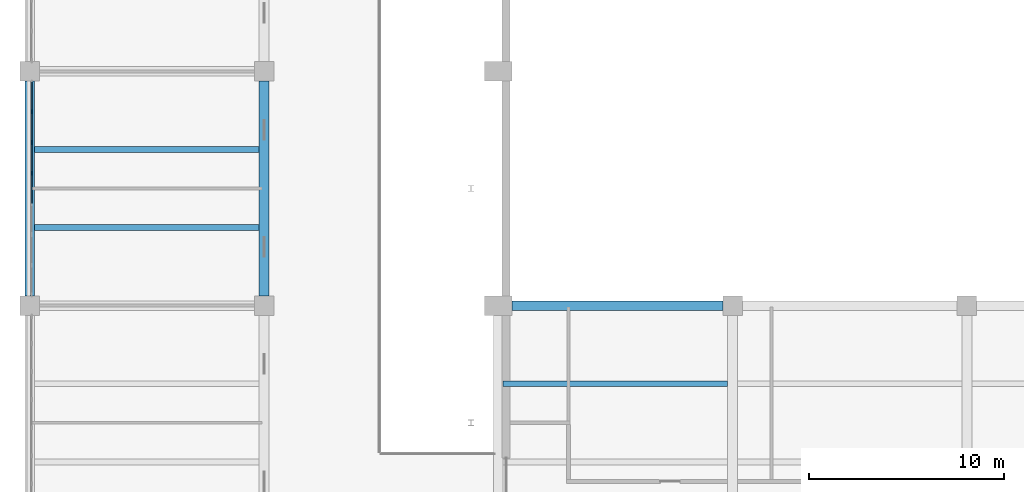
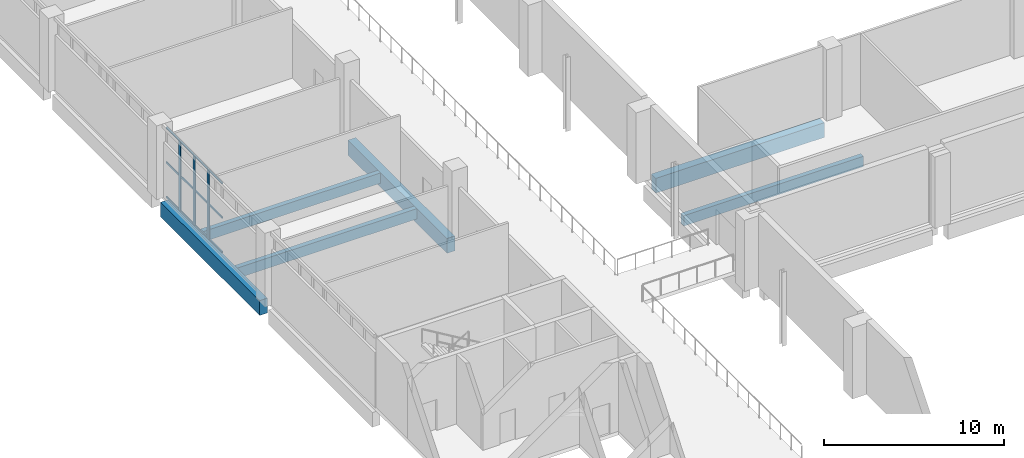
# One storey, part 19 of 69: 15 members, 6 beams, 1 element without a shape of its own.
"""IFC4 building model written with IfcOpenShell, lengths in metres."""

from ifc_helpers import new_model, si_unit, direction, frame, origin, origin_2d, place, context, subcontext, project, spatial, rectangle, extrude, material, layer, layer_set, material_profile, profile_set, type_object, element, aggregate, save


model = new_model("IFC4")

# Units and contexts
model_context = context("Model", 3, precision=1e-05, world=origin(), true_north=direction((0.0, 1.0)))
body_context = subcontext(model_context, "Body", "Model", "MODEL_VIEW")
ifc_project = project(units=[si_unit("LENGTHUNIT", "METRE"), si_unit("AREAUNIT", "SQUARE_METRE"), si_unit("VOLUMEUNIT", "CUBIC_METRE"), si_unit("PLANEANGLEUNIT", "RADIAN"), si_unit("MASSUNIT", "GRAM", prefix="KILO")], contexts=[model_context])

# Site, building, storey
site_placement = place(None, origin())
site = spatial("IfcSite", under=ifc_project, at=site_placement, CompositionType="ELEMENT")
building_placement = place(site_placement, origin())
building = spatial("IfcBuilding", under=site, at=building_placement, Name="Lilac Gate Convention Centre", CompositionType="ELEMENT")
storey_placement = place(building_placement, frame((0.0, 0.0, 12.0)))
storey = spatial("IfcBuildingStorey", under=building, at=storey_placement, Name="L02", CompositionType="ELEMENT", Elevation=12.0)

# Curtain wall, members
ifc_material_1 = material(Name="Aluminium framed double glazing", Category="aluminium")
ifc_layer = layer(ifc_material_1, 0.199951171875)
ifc_layer_set = layer_set([ifc_layer], Name="Aluminium framed double glazing")
curtain_wall_type = type_object("IfcCurtainWallType", Name="Unitised curtain wall 1500", PredefinedType="NOTDEFINED", material=ifc_layer_set)
curtain_wall_placement = place(storey_placement, origin())
curtain_wall = element("IfcCurtainWall", 1, at=curtain_wall_placement, inside=storey, type_object=curtain_wall_type, Name="Curtain wall PW L02 7", PredefinedType="NOTDEFINED")
ifc_material_2 = material(Name="Aluminium alloy 6063", Category="aluminium")
ifc_material_profile_1 = material_profile(ifc_material_2, rectangle(XDim=0.06005859375, YDim=0.219970703125, at=origin_2d()), Name="Curtain wall mullion 60 x 220")
ifc_profile_set_1 = profile_set([ifc_material_profile_1], Name="Aluminium alloy 6063")
member_type_1 = type_object("IfcMemberType", Name="Curtain wall mullion 60 x 220", PredefinedType="MULLION", material=ifc_profile_set_1)
member_1_placement = place(storey_placement, frame((6.10009765625, 123.928466796875, 0.0), z_axis=(0.0, 0.0, 1.0), x_axis=(1.0, 0.0, 0.0)))
member_1 = element("IfcMember", 2, at=member_1_placement, type_object=member_type_1, Name="CW mullion 2", PredefinedType="MULLION", context=body_context, shape_type="SweptSolid", body=[
    extrude(rectangle(XDim=0.06005859375, YDim=0.219970703125, at=origin_2d()), origin(), (0.0, 0.0, 1.0), 4.75),
])
member_2_placement = place(storey_placement, frame((6.10009765625, 122.357177734375, 0.0), z_axis=(0.0, 0.0, 1.0), x_axis=(1.0, 0.0, 0.0)))
member_2 = element("IfcMember", 3, at=member_2_placement, type_object=member_type_1, Name="CW mullion 3", PredefinedType="MULLION", context=body_context, shape_type="SweptSolid", body=[
    extrude(rectangle(XDim=0.06005859375, YDim=0.219970703125, at=origin_2d()), origin(), (0.0, 0.0, 1.0), 4.75),
])
member_3_placement = place(storey_placement, frame((6.10009765625, 120.78564453125, 0.0), z_axis=(0.0, 0.0, 1.0), x_axis=(1.0, 0.0, 0.0)))
member_3 = element("IfcMember", 4, at=member_3_placement, type_object=member_type_1, Name="CW mullion 4", PredefinedType="MULLION", context=body_context, shape_type="SweptSolid", body=[
    extrude(rectangle(XDim=0.06005859375, YDim=0.219970703125, at=origin_2d()), origin(), (0.0, 0.0, 1.0), 4.75),
])
ifc_material_profile_2 = material_profile(ifc_material_2, rectangle(XDim=0.06005859375, YDim=0.1201171875, at=origin_2d()), Name="Curtain wall transom 60 x 120")
ifc_profile_set_2 = profile_set([ifc_material_profile_2], Name="Aluminium alloy 6063")
member_type_2 = type_object("IfcMemberType", Name="Curtain wall transom 60 x 120", PredefinedType="USERDEFINED", material=ifc_profile_set_2)
member_4_placement = place(storey_placement, frame((6.10009765625, 125.43994140625, 0.030029296875), z_axis=(0.0, -1.0, 0.0), x_axis=(1.0, 0.0, 0.0)))
member_4 = element("IfcMember", 5, at=member_4_placement, type_object=member_type_2, Name="CW transom 1.1", ObjectType="TRANSOM", PredefinedType="USERDEFINED", context=body_context, shape_type="SweptSolid", body=[
    extrude(rectangle(XDim=0.06005859375, YDim=0.1201171875, at=origin_2d()), origin(), (0.0, 0.0, 1.0), 1.4814453125),
])
member_5_placement = place(storey_placement, frame((6.10009765625, 125.43994140625, 2.375), z_axis=(0.0, -1.0, 0.0), x_axis=(1.0, 0.0, 0.0)))
member_5 = element("IfcMember", 6, at=member_5_placement, type_object=member_type_2, Name="CW transom 1.2", ObjectType="TRANSOM", PredefinedType="USERDEFINED", context=body_context, shape_type="SweptSolid", body=[
    extrude(rectangle(XDim=0.06005859375, YDim=0.1201171875, at=origin_2d()), origin(), (0.0, 0.0, 1.0), 1.4814453125),
])
member_6_placement = place(storey_placement, frame((6.10009765625, 125.43994140625, 4.719970703125), z_axis=(0.0, -1.0, 0.0), x_axis=(1.0, 0.0, 0.0)))
member_6 = element("IfcMember", 7, at=member_6_placement, type_object=member_type_2, Name="CW transom 1.3", ObjectType="TRANSOM", PredefinedType="USERDEFINED", context=body_context, shape_type="SweptSolid", body=[
    extrude(rectangle(XDim=0.06005859375, YDim=0.1201171875, at=origin_2d()), origin(), (0.0, 0.0, 1.0), 1.4814453125),
])
member_7_placement = place(storey_placement, frame((6.10009765625, 123.898681640625, 0.030029296875), z_axis=(0.0, -1.0, 0.0), x_axis=(1.0, 0.0, 0.0)))
member_7 = element("IfcMember", 8, at=member_7_placement, type_object=member_type_2, Name="CW transom 2.1", ObjectType="TRANSOM", PredefinedType="USERDEFINED", context=body_context, shape_type="SweptSolid", body=[
    extrude(rectangle(XDim=0.06005859375, YDim=0.1201171875, at=origin_2d()), origin(), (0.0, 0.0, 1.0), 1.511474609375),
])
member_8_placement = place(storey_placement, frame((6.10009765625, 123.898681640625, 2.375), z_axis=(0.0, -1.0, 0.0), x_axis=(1.0, 0.0, 0.0)))
member_8 = element("IfcMember", 9, at=member_8_placement, type_object=member_type_2, Name="CW transom 2.2", ObjectType="TRANSOM", PredefinedType="USERDEFINED", context=body_context, shape_type="SweptSolid", body=[
    extrude(rectangle(XDim=0.06005859375, YDim=0.1201171875, at=origin_2d()), origin(), (0.0, 0.0, 1.0), 1.511474609375),
])
member_9_placement = place(storey_placement, frame((6.10009765625, 123.898681640625, 4.719970703125), z_axis=(0.0, -1.0, 0.0), x_axis=(1.0, 0.0, 0.0)))
member_9 = element("IfcMember", 10, at=member_9_placement, type_object=member_type_2, Name="CW transom 2.3", ObjectType="TRANSOM", PredefinedType="USERDEFINED", context=body_context, shape_type="SweptSolid", body=[
    extrude(rectangle(XDim=0.06005859375, YDim=0.1201171875, at=origin_2d()), origin(), (0.0, 0.0, 1.0), 1.511474609375),
])
member_10_placement = place(storey_placement, frame((6.10009765625, 122.3271484375, 0.030029296875), z_axis=(0.0, -1.0, 0.0), x_axis=(1.0, 0.0, 0.0)))
member_10 = element("IfcMember", 11, at=member_10_placement, type_object=member_type_2, Name="CW transom 3.1", ObjectType="TRANSOM", PredefinedType="USERDEFINED", context=body_context, shape_type="SweptSolid", body=[
    extrude(rectangle(XDim=0.06005859375, YDim=0.1201171875, at=origin_2d()), origin(), (0.0, 0.0, 1.0), 1.511474609375),
])
member_11_placement = place(storey_placement, frame((6.10009765625, 122.3271484375, 2.375), z_axis=(0.0, -1.0, 0.0), x_axis=(1.0, 0.0, 0.0)))
member_11 = element("IfcMember", 12, at=member_11_placement, type_object=member_type_2, Name="CW transom 3.2", ObjectType="TRANSOM", PredefinedType="USERDEFINED", context=body_context, shape_type="SweptSolid", body=[
    extrude(rectangle(XDim=0.06005859375, YDim=0.1201171875, at=origin_2d()), origin(), (0.0, 0.0, 1.0), 1.511474609375),
])
member_12_placement = place(storey_placement, frame((6.10009765625, 122.3271484375, 4.719970703125), z_axis=(0.0, -1.0, 0.0), x_axis=(1.0, 0.0, 0.0)))
member_12 = element("IfcMember", 13, at=member_12_placement, type_object=member_type_2, Name="CW transom 3.3", ObjectType="TRANSOM", PredefinedType="USERDEFINED", context=body_context, shape_type="SweptSolid", body=[
    extrude(rectangle(XDim=0.06005859375, YDim=0.1201171875, at=origin_2d()), origin(), (0.0, 0.0, 1.0), 1.511474609375),
])
member_13_placement = place(storey_placement, frame((6.10009765625, 120.755615234375, 0.030029296875), z_axis=(0.0, -1.0, 0.0), x_axis=(1.0, 0.0, 0.0)))
member_13 = element("IfcMember", 14, at=member_13_placement, type_object=member_type_2, Name="CW transom 4.1", ObjectType="TRANSOM", PredefinedType="USERDEFINED", context=body_context, shape_type="SweptSolid", body=[
    extrude(rectangle(XDim=0.06005859375, YDim=0.1201171875, at=origin_2d()), origin(), (0.0, 0.0, 1.0), 1.51123046875),
])
member_14_placement = place(storey_placement, frame((6.10009765625, 120.755615234375, 2.375), z_axis=(0.0, -1.0, 0.0), x_axis=(1.0, 0.0, 0.0)))
member_14 = element("IfcMember", 15, at=member_14_placement, type_object=member_type_2, Name="CW transom 4.2", ObjectType="TRANSOM", PredefinedType="USERDEFINED", context=body_context, shape_type="SweptSolid", body=[
    extrude(rectangle(XDim=0.06005859375, YDim=0.1201171875, at=origin_2d()), origin(), (0.0, 0.0, 1.0), 1.51123046875),
])
member_15_placement = place(storey_placement, frame((6.10009765625, 120.755615234375, 4.719970703125), z_axis=(0.0, -1.0, 0.0), x_axis=(1.0, 0.0, 0.0)))
member_15 = element("IfcMember", 16, at=member_15_placement, type_object=member_type_2, Name="CW transom 4.3", ObjectType="TRANSOM", PredefinedType="USERDEFINED", context=body_context, shape_type="SweptSolid", body=[
    extrude(rectangle(XDim=0.06005859375, YDim=0.1201171875, at=origin_2d()), origin(), (0.0, 0.0, 1.0), 1.51123046875),
])
aggregate(curtain_wall, [member_1, member_2, member_3, member_4, member_5, member_6, member_7, member_8, member_9, member_10, member_11, member_12, member_13, member_14, member_15])

# Beams
ifc_material_3 = material(Name="Concrete C40", Category="concrete")
ifc_material_profile_3 = material_profile(ifc_material_3, rectangle(XDim=0.5, YDim=1.0, at=origin_2d()), Name="RC 500x1000")
ifc_profile_set_3 = profile_set([ifc_material_profile_3], Name="Concrete C40")
beam_type_1 = type_object("IfcBeamType", Name="Primary beam 500x1000 C40", PredefinedType="BEAM", material=ifc_profile_set_3)
beam_placement = place(storey_placement, frame((30.699951171875, 114.0, -0.75), z_axis=(1.0, 0.0, 0.0), x_axis=(0.0, 1.0, 0.0)))
element("IfcBeam", 17, at=beam_placement, inside=storey, type_object=beam_type_1, Name="RB1 L02 3/H-4/H", PredefinedType="BEAM", context=body_context, shape_type="SweptSolid", body=[
    extrude(rectangle(XDim=0.5, YDim=1.0, at=origin_2d()), origin(), (0.0, 0.0, 1.0), 10.800048828125),
])
for number, where, z_axis, x_axis, name in (
    (18, (6.0, 114.5, -0.75), (0.0, 1.0, 0.0), (-1.0, 0.0, 0.0), "RB1 L02 1/H-1/J"),
    (19, (18.0, 114.5, -0.75), (0.0, 1.0, 0.0), (-1.0, 0.0, 0.0), "RB1 L02 2/H-2/J"),
):
    element("IfcBeam", number, at=place(storey_placement, frame(where, z_axis=z_axis, x_axis=x_axis)), inside=storey, type_object=beam_type_1, Name=name, PredefinedType="BEAM", context=body_context, shape_type="SweptSolid", body=[
        extrude(rectangle(XDim=0.5, YDim=1.0, at=origin_2d()), origin(), (0.0, 0.0, 1.0), 11.0),
    ])
ifc_material_profile_4 = material_profile(ifc_material_3, rectangle(XDim=0.300048828125, YDim=0.699951171875, at=origin_2d()), Name="RC 300x700")
ifc_profile_set_4 = profile_set([ifc_material_profile_4], Name="Concrete C40")
beam_type_2 = type_object("IfcBeamType", Name="Secondary beam 300x700 C40", PredefinedType="BEAM", material=ifc_profile_set_4)
for number, where, z_axis, x_axis, name in (
    (20, (6.25, 118.0, -0.60009765625), (1.0, 0.0, 0.0), (0.0, 1.0, 0.0), "RB2 L02 bay 1/H"),
    (21, (6.25, 122.0, -0.60009765625), (1.0, 0.0, 0.0), (0.0, 1.0, 0.0), "RB2 L02 bay 1/H"),
    (22, (30.25, 110.0, -0.60009765625), (1.0, 0.0, 0.0), (0.0, 1.0, 0.0), "RB2 L02 bay 3/G"),
):
    element("IfcBeam", number, at=place(storey_placement, frame(where, z_axis=z_axis, x_axis=x_axis)), inside=storey, type_object=beam_type_2, Name=name, PredefinedType="BEAM", context=body_context, shape_type="SweptSolid", body=[
        extrude(rectangle(XDim=0.300048828125, YDim=0.699951171875, at=origin_2d()), origin(), (0.0, 0.0, 1.0), 11.5),
    ])

save(model, "model.ifc")
